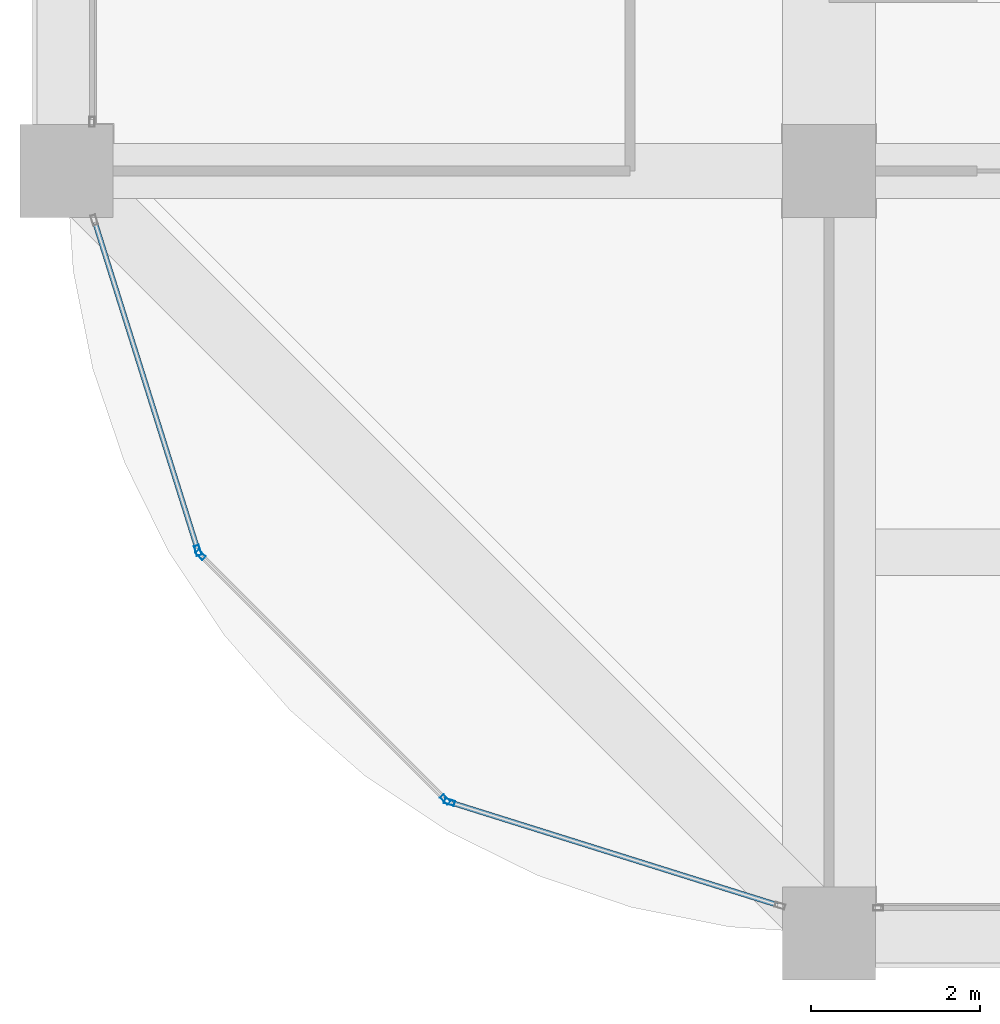
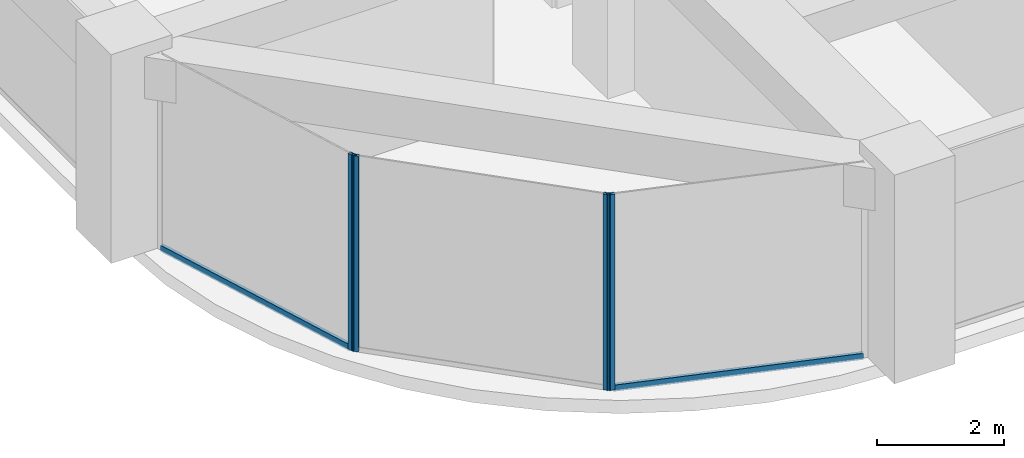
# One storey, part 2 of 45: 6 members, 3 elements without a shape of their own.
"""IFC4 building model written with IfcOpenShell, lengths in metres."""

from ifc_helpers import new_model, si_unit, direction, frame, origin, origin_2d, place, context, subcontext, project, spatial, hollow_rectangle, extrude, material, material_profile, profile_set, type_object, element, aggregate, save


model = new_model("IFC4")

# Units and contexts
model_context = context("Model", 3, precision=1e-05, world=origin(), true_north=direction((0.0, 1.0)))
body_context = subcontext(model_context, "Body", "Model", "MODEL_VIEW")
ifc_project = project(units=[si_unit("LENGTHUNIT", "METRE"), si_unit("AREAUNIT", "SQUARE_METRE"), si_unit("VOLUMEUNIT", "CUBIC_METRE"), si_unit("PLANEANGLEUNIT", "RADIAN"), si_unit("MASSUNIT", "GRAM", prefix="KILO")], contexts=[model_context])

# Site, building, storey
site_placement = place(None, origin())
site = spatial("IfcSite", under=ifc_project, at=site_placement, CompositionType="ELEMENT")
building_placement = place(site_placement, origin())
building = spatial("IfcBuilding", under=site, at=building_placement, Name="Zorevar Civic Tower", CompositionType="ELEMENT")
storey_placement = place(building_placement, frame((0.0, 0.0, 303.39990234375)))
storey = spatial("IfcBuildingStorey", under=building, at=storey_placement, Name="L74", CompositionType="ELEMENT", Elevation=303.39990234375)

# Curtain wall, member
ifc_material_1 = material(Name="Dark grey solar-control glass in black aluminium frame", Category="aluminium")
curtain_wall_type = type_object("IfcCurtainWallType", Name="Curtain wall CW5 top zone", PredefinedType="NOTDEFINED", material=ifc_material_1)
curtain_wall_1_placement = place(storey_placement, origin())
curtain_wall_1 = element("IfcCurtainWall", 1, at=curtain_wall_1_placement, inside=storey, type_object=curtain_wall_type, Name="CW5 L74", PredefinedType="NOTDEFINED")
ifc_material_2 = material(Name="Aluminium, black anodised", Category="aluminium")
ifc_material_profile_1 = material_profile(ifc_material_2, hollow_rectangle(XDim=0.06005859375, YDim=0.1201171875, WallThickness=0.0029296875, at=origin_2d()), Name="AL 120x60x3")
ifc_profile_set_1 = profile_set([ifc_material_profile_1], Name="Aluminium, black anodised")
member_type_1 = type_object("IfcMemberType", Name="CW5 mullion AL 120x60x3", PredefinedType="MULLION", material=ifc_profile_set_1)
member_1_placement = place(storey_placement, frame((10.550048828125, 4.520751953125, 0.0), z_axis=(0.0, 0.0, 1.0), x_axis=(0.954153437674, 0.299317920238, 0.0)))
member_1 = element("IfcMember", 2, at=member_1_placement, type_object=member_type_1, Name="CW5 mullion 2", PredefinedType="MULLION", context=body_context, shape_type="SweptSolid", body=[
    extrude(hollow_rectangle(XDim=0.06005859375, YDim=0.1201171875, WallThickness=0.0029296875, at=origin_2d()), origin(), (0.0, 0.0, 1.0), 3.75),
])

# Curtain wall, members
curtain_wall_2_placement = place(storey_placement, origin())
curtain_wall_2 = element("IfcCurtainWall", 3, at=curtain_wall_2_placement, inside=storey, type_object=curtain_wall_type, Name="CW5 L74", PredefinedType="NOTDEFINED")
member_2_placement = place(storey_placement, frame((10.580322265625, 4.470947265625, 0.0), z_axis=(0.0, 0.0, 1.0), x_axis=(0.707106781187, 0.707106781187, 0.0)))
member_2 = element("IfcMember", 4, at=member_2_placement, type_object=member_type_1, Name="CW5 mullion 1", PredefinedType="MULLION", context=body_context, shape_type="SweptSolid", body=[
    extrude(hollow_rectangle(XDim=0.06005859375, YDim=0.1201171875, WallThickness=0.0029296875, at=origin_2d()), origin(), (0.0, 0.0, 1.0), 3.75),
])
member_3_placement = place(storey_placement, frame((13.470947265625, 1.580322265625, 0.0), z_axis=(0.0, 0.0, 1.0), x_axis=(0.707106781187, 0.707106781187, 0.0)))
member_3 = element("IfcMember", 5, at=member_3_placement, type_object=member_type_1, Name="CW5 mullion 2", PredefinedType="MULLION", context=body_context, shape_type="SweptSolid", body=[
    extrude(hollow_rectangle(XDim=0.06005859375, YDim=0.1201171875, WallThickness=0.0029296875, at=origin_2d()), origin(), (0.0, 0.0, 1.0), 3.75),
])
aggregate(curtain_wall_2, [member_2, member_3])

# Curtain wall, member
curtain_wall_3_placement = place(storey_placement, origin())
curtain_wall_3 = element("IfcCurtainWall", 6, at=curtain_wall_3_placement, inside=storey, type_object=curtain_wall_type, Name="CW5 L74", PredefinedType="NOTDEFINED")
member_4_placement = place(storey_placement, frame((13.520751953125, 1.550048828125, 0.0), z_axis=(0.0, 0.0, 1.0), x_axis=(0.299317920238, 0.954153437674, 0.0)))
member_4 = element("IfcMember", 7, at=member_4_placement, type_object=member_type_1, Name="CW5 mullion 1", PredefinedType="MULLION", context=body_context, shape_type="SweptSolid", body=[
    extrude(hollow_rectangle(XDim=0.06005859375, YDim=0.1201171875, WallThickness=0.0029296875, at=origin_2d()), origin(), (0.0, 0.0, 1.0), 3.75),
])

# Member
ifc_material_3 = material(Name="Aluminium, black anodised", Category="aluminium")
ifc_material_profile_2 = material_profile(ifc_material_3, hollow_rectangle(XDim=0.06005859375, YDim=0.1201171875, WallThickness=0.0029296875, at=origin_2d()), Name="AL 120x60x3")
ifc_profile_set_2 = profile_set([ifc_material_profile_2], Name="Aluminium, black anodised")
member_type_2 = type_object("IfcMemberType", Name="CW5 transom AL 120x60x3", PredefinedType="USERDEFINED", material=ifc_profile_set_2)
member_5_placement = place(storey_placement, frame((9.33544921875, 8.392822265625, 0.030029296875), z_axis=(0.299285978047, -0.954163457351, 0.0), x_axis=(0.954163457351, 0.299285978047, 0.0)))
member_5 = element("IfcMember", 8, at=member_5_placement, type_object=member_type_2, Name="CW5 sill transom", ObjectType="TRANSOM", PredefinedType="USERDEFINED", context=body_context, shape_type="SweptSolid", body=[
    extrude(hollow_rectangle(XDim=0.06005859375, YDim=0.1201171875, WallThickness=0.0029296875, at=origin_2d()), origin(), (0.0, 0.0, 1.0), 4.028076171875),
])

aggregate(curtain_wall_1, [member_1, member_5])

member_6_placement = place(storey_placement, frame((13.54931640625, 1.541015625, 0.030029296875), z_axis=(0.954163457351, -0.299285978047, 0.0), x_axis=(0.299285978047, 0.954163457351, 0.0)))
member_6 = element("IfcMember", 9, at=member_6_placement, type_object=member_type_2, Name="CW5 sill transom", ObjectType="TRANSOM", PredefinedType="USERDEFINED", context=body_context, shape_type="SweptSolid", body=[
    extrude(hollow_rectangle(XDim=0.06005859375, YDim=0.1201171875, WallThickness=0.0029296875, at=origin_2d()), origin(), (0.0, 0.0, 1.0), 4.028076171875),
])

aggregate(curtain_wall_3, [member_4, member_6])

save(model, "model.ifc")
